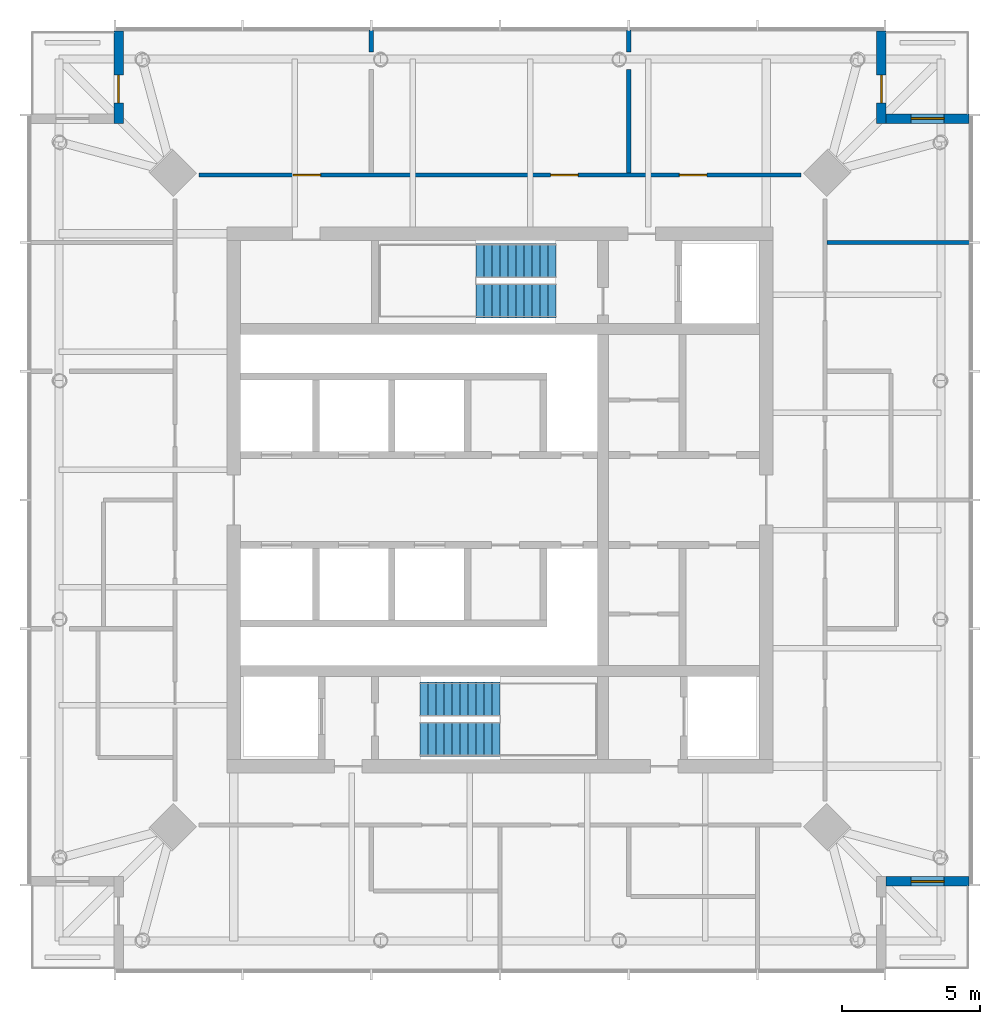
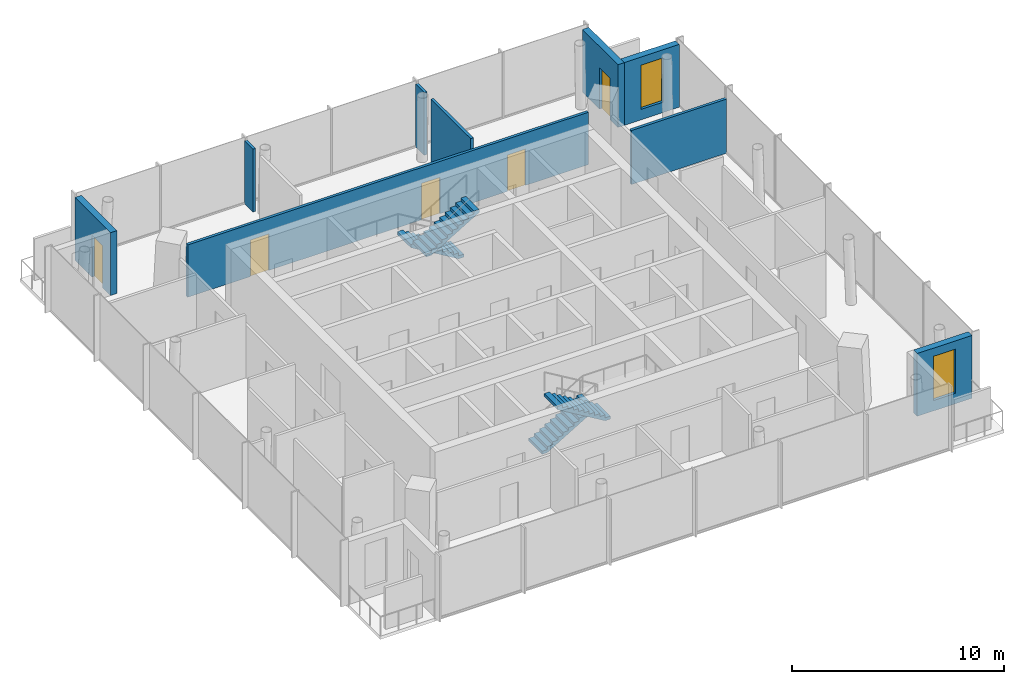
# One storey, part 6 of 7: 9 walls, 5 doors, 4 stair flights, 2 windows, 7 openings, 2 elements without a shape of their own.
"""IFC4 building model written with IfcOpenShell, lengths in metres."""

from ifc_helpers import new_model, si_unit, direction, frame, frame_2d, origin, place, context, subcontext, project, spatial, polyline, rectangle, outline, extrude, material, layer, layer_set, type_object, element, fill, aggregate, save


model = new_model("IFC4")

# Units and contexts
model_context = context("Model", 3, precision=1e-05, world=origin(), true_north=direction((0.0, 1.0)))
body_context = subcontext(model_context, "Body", "Model", "MODEL_VIEW")
ifc_project = project(units=[si_unit("LENGTHUNIT", "METRE"), si_unit("AREAUNIT", "SQUARE_METRE"), si_unit("VOLUMEUNIT", "CUBIC_METRE"), si_unit("PLANEANGLEUNIT", "RADIAN"), si_unit("MASSUNIT", "GRAM", prefix="KILO")], contexts=[model_context])

# Site, building, storey
site_placement = place(None, origin())
site = spatial("IfcSite", under=ifc_project, at=site_placement, CompositionType="ELEMENT")
building_placement = place(site_placement, origin())
building = spatial("IfcBuilding", under=site, at=building_placement, Name="Ostroluk Exchange", CompositionType="ELEMENT")
storey_placement = place(building_placement, frame((0.0, 0.0, 271.800048828125)))
storey = spatial("IfcBuildingStorey", under=building, at=storey_placement, Name="L70", CompositionType="ELEMENT", Elevation=271.800048828125)

# Wall, opening, window
ifc_material_1 = material(Name="Limestone", Category="masonry")
ifc_layer_1 = layer(ifc_material_1, 0.35009765625)
ifc_layer_set_1 = layer_set([ifc_layer_1], Name="Limestone facade wall 350")
wall_type_1 = type_object("IfcWallType", Name="Limestone facade wall 350", PredefinedType="SOLIDWALL", material=ifc_layer_set_1)
wall_1_placement = place(storey_placement, frame((59.0, 32.175048828125, 0.0), z_axis=(0.0, 0.0, 1.0), x_axis=(1.0, 0.0, 0.0)))
wall_1 = element("IfcWall", 1, at=wall_1_placement, inside=storey, type_object=wall_type_1, Name="Office tower SE corner wall L70 b", PredefinedType="SOLIDWALL", context=body_context, shape_type="SweptSolid", body=[
    extrude(rectangle(XDim=3.0, YDim=0.35009765625, at=frame_2d((1.5, 0.0))), origin(), (0.0, 0.0, 1.0), 3.619873046875),
])
opening_1_placement = place(wall_1_placement, frame((0.89990234375, 0.0, 0.60009765625)))
opening_1 = element("IfcOpeningElement", 2, at=opening_1_placement, cuts=wall_1, Name="Opening WN-L1", PredefinedType="OPENING", context=body_context, shape_type="SweptSolid", body=[
    extrude(rectangle(XDim=1.199951171875, YDim=2.550048828125, at=frame_2d((0.60009765625, 1.27490234375))), frame((0.0, 0.18505859375, 0.0), z_axis=(0.0, -1.0, 0.0), x_axis=(1.0, 0.0, 0.0)), (0.0, 0.0, 1.0), 0.3701171875),
])
ifc_material_2 = material(Name="Laminated clear glass", Category="glass")
window_type = type_object("IfcWindowType", Name="Lancet window 1200 x 2550", PartitioningType="SINGLE_PANEL", PredefinedType="WINDOW", material=ifc_material_2)
window_1_placement = place(opening_1_placement, origin())
window_1 = element("IfcWindow", 3, at=window_1_placement, inside=storey, type_object=window_type, Name="Office tower SE lancet window L70", OverallHeight=2.550048828125, OverallWidth=1.199951171875, PartitioningType="SINGLE_PANEL", PredefinedType="WINDOW", context=body_context, shape_type="SweptSolid", body=[
    extrude(rectangle(XDim=1.199951171875, YDim=2.550048828125, at=frame_2d((0.60009765625, 1.27490234375))), frame((0.0, 0.030029296875, 0.0), z_axis=(0.0, -1.0, 0.0), x_axis=(1.0, 0.0, 0.0)), (0.0, 0.0, 1.0), 0.06005859375),
])
fill(opening_1, window_1)

# Wall, opening, door
wall_2_placement = place(storey_placement, frame((58.824951171875, 63.0, 0.0), z_axis=(0.0, 0.0, 1.0), x_axis=(0.0, -1.0, 0.0)))
wall_2 = element("IfcWall", 4, at=wall_2_placement, inside=storey, type_object=wall_type_1, Name="Office tower NE corner wall L70 a", PredefinedType="SOLIDWALL", context=body_context, shape_type="SweptSolid", body=[
    extrude(rectangle(XDim=3.35009765625, YDim=0.35009765625, at=frame_2d((1.675048828125, 0.0))), origin(), (0.0, 0.0, 1.0), 3.619873046875),
])
opening_2_placement = place(wall_2_placement, frame((1.60009765625, 0.0, 0.0)))
opening_2 = element("IfcOpeningElement", 5, at=opening_2_placement, cuts=wall_2, Name="Opening D-B1", PredefinedType="OPENING", context=body_context, shape_type="SweptSolid", body=[
    extrude(rectangle(XDim=1.0, YDim=2.39990234375, at=frame_2d((0.5, 1.199951171875))), frame((0.0, 0.18505859375, 0.0), z_axis=(0.0, -1.0, 0.0), x_axis=(1.0, 0.0, 0.0)), (0.0, 0.0, 1.0), 0.3701171875),
])
ifc_material_3 = material(Name="Bronze framed glazed door", Category="aluminium")
door_type_1 = type_object("IfcDoorType", Name="Balcony door 1000 x 2400", OperationType="SINGLE_SWING_LEFT", PredefinedType="DOOR", material=ifc_material_3)
door_1_placement = place(opening_2_placement, origin())
door_1 = element("IfcDoor", 6, at=door_1_placement, inside=storey, type_object=door_type_1, Name="Office tower NE balcony door L70", OperationType="SINGLE_SWING_RIGHT", OverallHeight=2.39990234375, OverallWidth=1.0, PredefinedType="DOOR", context=body_context, shape_type="SweptSolid", body=[
    extrude(rectangle(XDim=1.0, YDim=2.39990234375, at=frame_2d((0.5, 1.199951171875))), frame((0.0, 0.02490234375, 0.0), z_axis=(0.0, -1.0, 0.0), x_axis=(1.0, 0.0, 0.0)), (0.0, 0.0, 1.0), 0.050048828125),
])
fill(opening_2, door_1)

# Wall, opening, window
wall_3_placement = place(storey_placement, frame((59.0, 59.824951171875, 0.0), z_axis=(0.0, 0.0, 1.0), x_axis=(1.0, 0.0, 0.0)))
wall_3 = element("IfcWall", 7, at=wall_3_placement, inside=storey, type_object=wall_type_1, Name="Office tower NE corner wall L70 b", PredefinedType="SOLIDWALL", context=body_context, shape_type="SweptSolid", body=[
    extrude(rectangle(XDim=3.0, YDim=0.35009765625, at=frame_2d((1.5, 0.0))), origin(), (0.0, 0.0, 1.0), 3.619873046875),
])
opening_3_placement = place(wall_3_placement, frame((0.89990234375, 0.0, 0.60009765625)))
opening_3 = element("IfcOpeningElement", 8, at=opening_3_placement, cuts=wall_3, Name="Opening WN-L1", PredefinedType="OPENING", context=body_context, shape_type="SweptSolid", body=[
    extrude(rectangle(XDim=1.199951171875, YDim=2.550048828125, at=frame_2d((0.60009765625, 1.27490234375))), frame((0.0, 0.18505859375, 0.0), z_axis=(0.0, -1.0, 0.0), x_axis=(1.0, 0.0, 0.0)), (0.0, 0.0, 1.0), 0.3701171875),
])
window_2_placement = place(opening_3_placement, origin())
window_2 = element("IfcWindow", 9, at=window_2_placement, inside=storey, type_object=window_type, Name="Office tower NE lancet window L70", OverallHeight=2.550048828125, OverallWidth=1.199951171875, PartitioningType="SINGLE_PANEL", PredefinedType="WINDOW", context=body_context, shape_type="SweptSolid", body=[
    extrude(rectangle(XDim=1.199951171875, YDim=2.550048828125, at=frame_2d((0.60009765625, 1.27490234375))), frame((0.0, 0.030029296875, 0.0), z_axis=(0.0, -1.0, 0.0), x_axis=(1.0, 0.0, 0.0)), (0.0, 0.0, 1.0), 0.06005859375),
])
fill(opening_3, window_2)

# Wall, opening, door
wall_4_placement = place(storey_placement, frame((31.175048828125, 63.0, 0.0), z_axis=(0.0, 0.0, 1.0), x_axis=(0.0, -1.0, 0.0)))
wall_4 = element("IfcWall", 10, at=wall_4_placement, inside=storey, type_object=wall_type_1, Name="Office tower NW corner wall L70 a", PredefinedType="SOLIDWALL", context=body_context, shape_type="SweptSolid", body=[
    extrude(rectangle(XDim=3.35009765625, YDim=0.35009765625, at=frame_2d((1.675048828125, 0.0))), origin(), (0.0, 0.0, 1.0), 3.619873046875),
])
opening_4_placement = place(wall_4_placement, frame((1.60009765625, 0.0, 0.0)))
opening_4 = element("IfcOpeningElement", 11, at=opening_4_placement, cuts=wall_4, Name="Opening D-B1", PredefinedType="OPENING", context=body_context, shape_type="SweptSolid", body=[
    extrude(rectangle(XDim=1.0, YDim=2.39990234375, at=frame_2d((0.5, 1.199951171875))), frame((0.0, 0.18505859375, 0.0), z_axis=(0.0, -1.0, 0.0), x_axis=(1.0, 0.0, 0.0)), (0.0, 0.0, 1.0), 0.3701171875),
])
door_2_placement = place(opening_4_placement, origin())
door_2 = element("IfcDoor", 12, at=door_2_placement, inside=storey, type_object=door_type_1, Name="Office tower NW balcony door L70", OperationType="SINGLE_SWING_RIGHT", OverallHeight=2.39990234375, OverallWidth=1.0, PredefinedType="DOOR", context=body_context, shape_type="SweptSolid", body=[
    extrude(rectangle(XDim=1.0, YDim=2.39990234375, at=frame_2d((0.5, 1.199951171875))), frame((0.0, 0.02490234375, 0.0), z_axis=(0.0, -1.0, 0.0), x_axis=(1.0, 0.0, 0.0)), (0.0, 0.0, 1.0), 0.050048828125),
])
fill(opening_4, door_2)

# Wall
ifc_material_4 = material(Name="Gypsum plasterboard partition", Category="gypsum")
ifc_layer_2 = layer(ifc_material_4, 0.14990234375)
ifc_layer_set_2 = layer_set([ifc_layer_2], Name="Plasterboard partition 150")
wall_type_2 = type_object("IfcWallType", Name="Plasterboard partition 150", PredefinedType="PARTITIONING", material=ifc_layer_set_2)
wall_5_placement = place(storey_placement, frame((56.85009765625, 55.333251953125, 0.0), z_axis=(0.0, 0.0, 1.0), x_axis=(1.0, 0.0, 0.0)))
element("IfcWall", 13, at=wall_5_placement, inside=storey, type_object=wall_type_2, Name="Partition", PredefinedType="PARTITIONING", context=body_context, shape_type="SweptSolid", body=[
    extrude(rectangle(XDim=5.18994140625, YDim=0.14990234375, at=frame_2d((2.594970703125, 0.0))), origin(), (0.0, 0.0, 1.0), 3.119873046875),
])

# Wall, openings, doors
wall_6_placement = place(storey_placement, frame((55.915771484375, 57.77490234375, 0.0), z_axis=(0.0, 0.0, 1.0), x_axis=(-1.0, 0.0, 0.0)))
wall_6 = element("IfcWall", 14, at=wall_6_placement, inside=storey, type_object=wall_type_2, Name="Partition", PredefinedType="PARTITIONING", context=body_context, shape_type="SweptSolid", body=[
    extrude(rectangle(XDim=21.83154296875, YDim=0.14990234375, at=frame_2d((10.915771484375, 0.0))), origin(), (0.0, 0.0, 1.0), 3.02001953125),
])
opening_5_placement = place(wall_6_placement, frame((3.415771484375, 0.0, 0.0)))
opening_5 = element("IfcOpeningElement", 15, at=opening_5_placement, cuts=wall_6, Name="Opening D-03", PredefinedType="OPENING", context=body_context, shape_type="SweptSolid", body=[
    extrude(rectangle(XDim=1.0, YDim=2.10009765625, at=frame_2d((0.5, 1.050048828125))), frame((0.0, 0.0849609375, 0.0), z_axis=(0.0, -1.0, 0.0), x_axis=(1.0, 0.0, 0.0)), (0.0, 0.0, 1.0), 0.169921875),
])
opening_6_placement = place(wall_6_placement, frame((8.08251953125, 0.0, 0.0)))
opening_6 = element("IfcOpeningElement", 16, at=opening_6_placement, cuts=wall_6, Name="Opening D-03", PredefinedType="OPENING", context=body_context, shape_type="SweptSolid", body=[
    extrude(rectangle(XDim=1.0, YDim=2.10009765625, at=frame_2d((0.5, 1.050048828125))), frame((0.0, 0.0849609375, 0.0), z_axis=(0.0, -1.0, 0.0), x_axis=(1.0, 0.0, 0.0)), (0.0, 0.0, 1.0), 0.169921875),
])
opening_7_placement = place(wall_6_placement, frame((17.415771484375, 0.0, 0.0)))
opening_7 = element("IfcOpeningElement", 17, at=opening_7_placement, cuts=wall_6, Name="Opening D-03", PredefinedType="OPENING", context=body_context, shape_type="SweptSolid", body=[
    extrude(rectangle(XDim=1.0, YDim=2.10009765625, at=frame_2d((0.5, 1.050048828125))), frame((0.0, 0.0849609375, 0.0), z_axis=(0.0, -1.0, 0.0), x_axis=(1.0, 0.0, 0.0)), (0.0, 0.0, 1.0), 0.169921875),
])
ifc_material_5 = material(Name="Timber", Category="wood")
door_type_2 = type_object("IfcDoorType", Name="Internal door 1000 x 2100", OperationType="SINGLE_SWING_LEFT", PredefinedType="DOOR", material=ifc_material_5)
door_3_placement = place(opening_5_placement, origin())
door_3 = element("IfcDoor", 18, at=door_3_placement, inside=storey, type_object=door_type_2, Name="Corner office door", OperationType="SINGLE_SWING_LEFT", OverallHeight=2.10009765625, OverallWidth=1.0, PredefinedType="DOOR", context=body_context, shape_type="SweptSolid", body=[
    extrude(rectangle(XDim=1.0, YDim=2.10009765625, at=frame_2d((0.5, 1.050048828125))), frame((0.0, 0.02490234375, 0.0), z_axis=(0.0, -1.0, 0.0), x_axis=(1.0, 0.0, 0.0)), (0.0, 0.0, 1.0), 0.050048828125),
])
fill(opening_5, door_3)
door_4_placement = place(opening_6_placement, origin())
door_4 = element("IfcDoor", 19, at=door_4_placement, inside=storey, type_object=door_type_2, Name="Executive office door", OperationType="SINGLE_SWING_LEFT", OverallHeight=2.10009765625, OverallWidth=1.0, PredefinedType="DOOR", context=body_context, shape_type="SweptSolid", body=[
    extrude(rectangle(XDim=1.0, YDim=2.10009765625, at=frame_2d((0.5, 1.050048828125))), frame((0.0, 0.02490234375, 0.0), z_axis=(0.0, -1.0, 0.0), x_axis=(1.0, 0.0, 0.0)), (0.0, 0.0, 1.0), 0.050048828125),
])
fill(opening_6, door_4)
door_5_placement = place(opening_7_placement, origin())
door_5 = element("IfcDoor", 20, at=door_5_placement, inside=storey, type_object=door_type_2, Name="Office door", OperationType="SINGLE_SWING_RIGHT", OverallHeight=2.10009765625, OverallWidth=1.0, PredefinedType="DOOR", context=body_context, shape_type="SweptSolid", body=[
    extrude(rectangle(XDim=1.0, YDim=2.10009765625, at=frame_2d((0.5, 1.050048828125))), frame((0.0, 0.02490234375, 0.0), z_axis=(0.0, -1.0, 0.0), x_axis=(1.0, 0.0, 0.0)), (0.0, 0.0, 1.0), 0.050048828125),
])
fill(opening_7, door_5)

# Walls
wall_7_placement = place(storey_placement, frame((49.666748046875, 57.85009765625, 0.0), z_axis=(0.0, 0.0, 1.0), x_axis=(0.0, 1.0, 0.0)))
element("IfcWall", 21, at=wall_7_placement, inside=storey, type_object=wall_type_2, Name="Partition", PredefinedType="PARTITIONING", context=body_context, shape_type="SweptSolid", body=[
    extrude(rectangle(XDim=3.76025390625, YDim=0.14990234375, at=frame_2d((1.880126953125, 0.0))), origin(), (0.0, 0.0, 1.0), 3.619873046875),
])
for number, where, z_axis, x_axis, name in (
    (22, (49.666748046875, 62.23974609375, 0.0), (0.0, 0.0, 1.0), (0.0, 1.0, 0.0), "Partition"),
    (23, (40.333251953125, 62.23974609375, 0.0), (0.0, 0.0, 1.0), (0.0, 1.0, 0.0), "Partition"),
):
    element("IfcWall", number, at=place(storey_placement, frame(where, z_axis=z_axis, x_axis=x_axis)), inside=storey, type_object=wall_type_2, Name=name, PredefinedType="PARTITIONING", context=body_context, shape_type="SweptSolid", body=[
        extrude(rectangle(XDim=0.80029296875, YDim=0.14990234375, at=frame_2d((0.400146484375, 0.0))), origin(), (0.0, 0.0, 1.0), 3.619873046875),
    ])

# Stair, stair flights
ifc_material_6 = material(Name="Concrete C30/37", Category="concrete")
stair_type = type_object("IfcStairType", Name="Exit stair half turn 3800", PredefinedType="HALF_TURN_STAIR", material=ifc_material_6)
stair_1_placement = place(storey_placement, origin())
stair_1 = element("IfcStair", 24, at=stair_1_placement, inside=storey, type_object=stair_type, Name="Stair T1-S1 L70", PredefinedType="HALF_TURN_STAIR")
ifc_material_7 = material(Name="Concrete C30/37", Category="concrete")
stair_flight_type = type_object("IfcStairFlightType", Name="Stair flight 11 risers 172.7 x 290", PredefinedType="STRAIGHT", material=ifc_material_7)
stair_flight_1_placement = place(storey_placement, frame((42.10009765625, 38.77490234375, 0.0), z_axis=(0.0, 0.0, 1.0), x_axis=(1.0, 0.0, 0.0)))
stair_flight_1 = element("IfcStairFlight", 25, at=stair_flight_1_placement, type_object=stair_flight_type, Name="T1-S1 flight 1", NumberOfRisers=11, NumberOfTreads=10, PredefinedType="STRAIGHT", RiserHeight=0.172727273, TreadLength=0.29, context=body_context, shape_type="SweptSolid", body=[
    extrude(outline(polyline([(0.0, 0.0), (0.0, 0.172607421875), (0.2900390625, 0.172607421875), (0.2900390625, 0.345458984375), (0.580078125, 0.345458984375), (0.580078125, 0.51806640625), (0.8701171875, 0.51806640625), (0.8701171875, 0.69091796875), (1.159912109375, 0.69091796875), (1.159912109375, 0.863525390625), (1.449951171875, 0.863525390625), (1.449951171875, 1.036376953125), (1.739990234375, 1.036376953125), (1.739990234375, 1.208984375), (2.030029296875, 1.208984375), (2.030029296875, 1.3818359375), (2.320068359375, 1.3818359375), (2.320068359375, 1.554443359375), (2.610107421875, 1.554443359375), (2.610107421875, 1.727294921875), (2.89990234375, 1.727294921875), (2.89990234375, 1.89990234375), (2.89990234375, 1.552734375), (0.29296875, 0.0), (0.0, 0.0)])), frame((0.0, 0.625, 0.0), z_axis=(0.0, -1.0, 0.0), x_axis=(1.0, 0.0, 0.0)), (0.0, 0.0, 1.0), 1.25),
])
stair_flight_2_placement = place(storey_placement, frame((45.0, 37.324951171875, 1.89990234375), z_axis=(0.0, 0.0, 1.0), x_axis=(-1.0, 0.0, 0.0)))
stair_flight_2 = element("IfcStairFlight", 26, at=stair_flight_2_placement, type_object=stair_flight_type, Name="T1-S1 flight 2", NumberOfRisers=11, NumberOfTreads=10, PredefinedType="STRAIGHT", RiserHeight=0.172727273, TreadLength=0.29, context=body_context, shape_type="SweptSolid", body=[
    extrude(outline(polyline([(0.0, 0.0), (0.0, 0.172607421875), (0.2900390625, 0.172607421875), (0.2900390625, 0.345458984375), (0.580078125, 0.345458984375), (0.580078125, 0.51806640625), (0.8701171875, 0.51806640625), (0.8701171875, 0.69091796875), (1.159912109375, 0.69091796875), (1.159912109375, 0.863525390625), (1.449951171875, 0.863525390625), (1.449951171875, 1.036376953125), (1.739990234375, 1.036376953125), (1.739990234375, 1.208984375), (2.030029296875, 1.208984375), (2.030029296875, 1.3818359375), (2.320068359375, 1.3818359375), (2.320068359375, 1.554443359375), (2.610107421875, 1.554443359375), (2.610107421875, 1.727294921875), (2.89990234375, 1.727294921875), (2.89990234375, 1.89990234375), (2.89990234375, 1.552734375), (0.29296875, 0.0), (0.0, 0.0)])), frame((0.0, 0.625, 0.0), z_axis=(0.0, -1.0, 0.0), x_axis=(1.0, 0.0, 0.0)), (0.0, 0.0, 1.0), 1.25),
])
aggregate(stair_1, [stair_flight_1, stair_flight_2])

stair_2_placement = place(storey_placement, origin())
stair_2 = element("IfcStair", 27, at=stair_2_placement, inside=storey, type_object=stair_type, Name="Stair T1-S2 L70", PredefinedType="HALF_TURN_STAIR")
stair_flight_3_placement = place(storey_placement, frame((47.030029296875, 54.675048828125, 0.0), z_axis=(0.0, 0.0, 1.0), x_axis=(-1.0, 0.0, 0.0)))
stair_flight_3 = element("IfcStairFlight", 28, at=stair_flight_3_placement, type_object=stair_flight_type, Name="T1-S2 flight 1", NumberOfRisers=11, NumberOfTreads=10, PredefinedType="STRAIGHT", RiserHeight=0.172727273, TreadLength=0.29, context=body_context, shape_type="SweptSolid", body=[
    extrude(outline(polyline([(0.0, 0.0), (0.0, 0.172607421875), (0.2900390625, 0.172607421875), (0.2900390625, 0.345458984375), (0.580078125, 0.345458984375), (0.580078125, 0.51806640625), (0.8701171875, 0.51806640625), (0.8701171875, 0.69091796875), (1.159912109375, 0.69091796875), (1.159912109375, 0.863525390625), (1.449951171875, 0.863525390625), (1.449951171875, 1.036376953125), (1.739990234375, 1.036376953125), (1.739990234375, 1.208984375), (2.030029296875, 1.208984375), (2.030029296875, 1.3818359375), (2.320068359375, 1.3818359375), (2.320068359375, 1.554443359375), (2.610107421875, 1.554443359375), (2.610107421875, 1.727294921875), (2.89990234375, 1.727294921875), (2.89990234375, 1.89990234375), (2.89990234375, 1.552734375), (0.29296875, 0.0), (0.0, 0.0)])), frame((0.0, 0.625, 0.0), z_axis=(0.0, -1.0, 0.0), x_axis=(1.0, 0.0, 0.0)), (0.0, 0.0, 1.0), 1.25),
])
stair_flight_4_placement = place(storey_placement, frame((44.1298828125, 53.22509765625, 1.89990234375), z_axis=(0.0, 0.0, 1.0), x_axis=(1.0, 0.0, 0.0)))
stair_flight_4 = element("IfcStairFlight", 29, at=stair_flight_4_placement, type_object=stair_flight_type, Name="T1-S2 flight 2", NumberOfRisers=11, NumberOfTreads=10, PredefinedType="STRAIGHT", RiserHeight=0.172727273, TreadLength=0.29, context=body_context, shape_type="SweptSolid", body=[
    extrude(outline(polyline([(0.0, 0.0), (0.0, 0.172607421875), (0.2900390625, 0.172607421875), (0.2900390625, 0.345458984375), (0.580078125, 0.345458984375), (0.580078125, 0.51806640625), (0.8701171875, 0.51806640625), (0.8701171875, 0.69091796875), (1.159912109375, 0.69091796875), (1.159912109375, 0.863525390625), (1.449951171875, 0.863525390625), (1.449951171875, 1.036376953125), (1.739990234375, 1.036376953125), (1.739990234375, 1.208984375), (2.030029296875, 1.208984375), (2.030029296875, 1.3818359375), (2.320068359375, 1.3818359375), (2.320068359375, 1.554443359375), (2.610107421875, 1.554443359375), (2.610107421875, 1.727294921875), (2.89990234375, 1.727294921875), (2.89990234375, 1.89990234375), (2.89990234375, 1.552734375), (0.29296875, 0.0), (0.0, 0.0)])), frame((0.0, 0.625, 0.0), z_axis=(0.0, -1.0, 0.0), x_axis=(1.0, 0.0, 0.0)), (0.0, 0.0, 1.0), 1.25),
])
aggregate(stair_2, [stair_flight_3, stair_flight_4])

save(model, "model.ifc")
